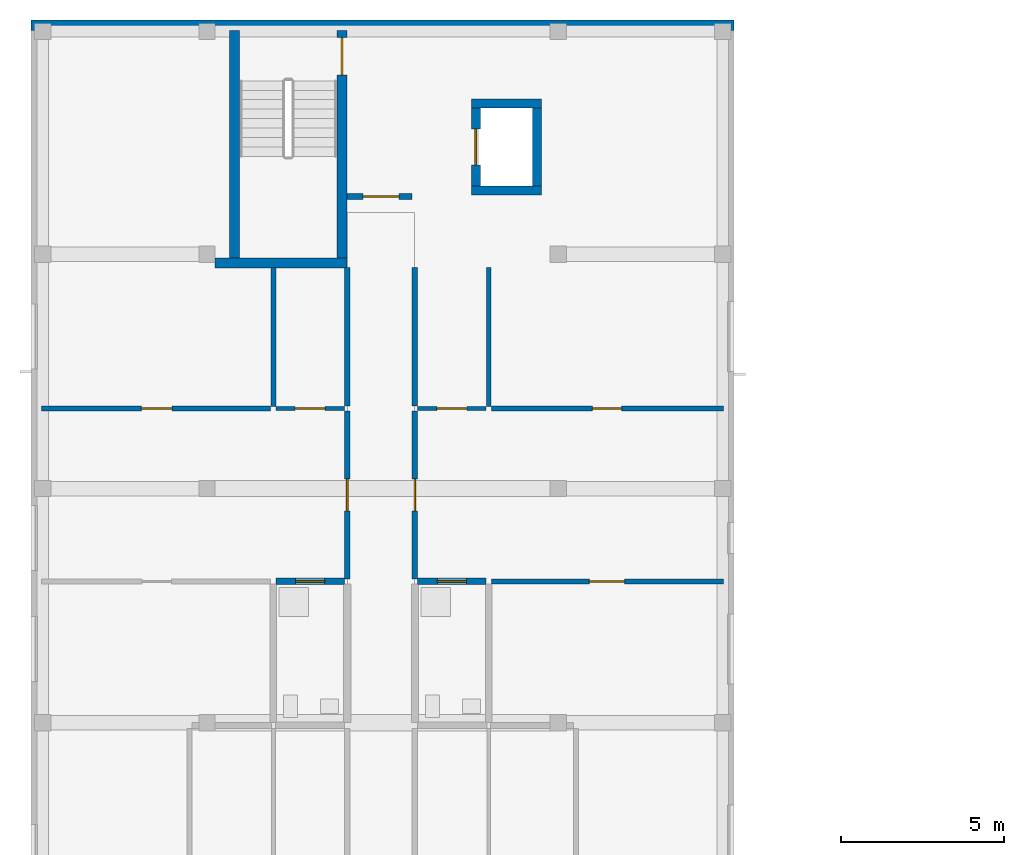
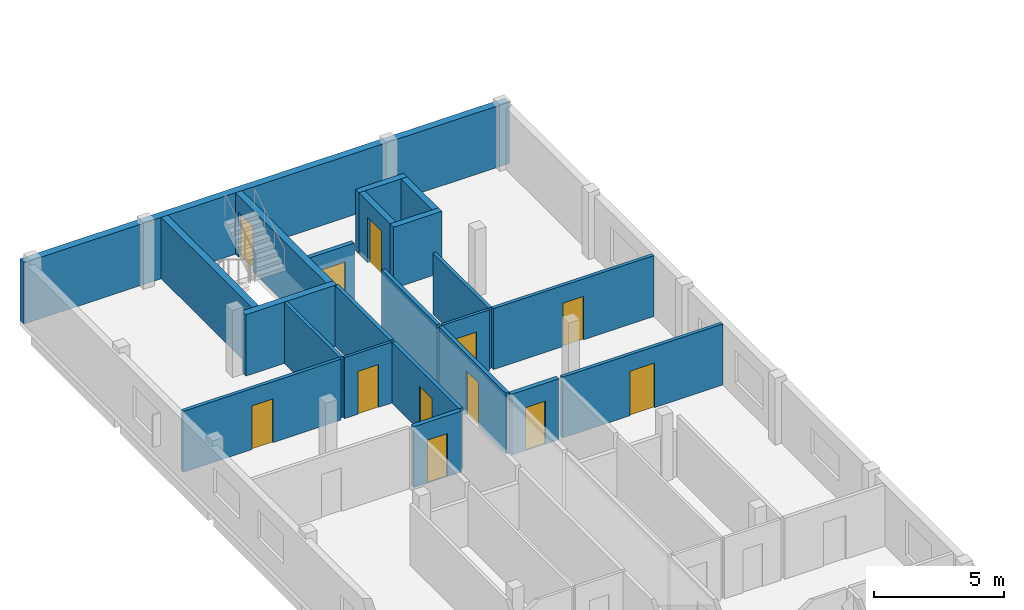
# One storey, part 13 of 28: 22 walls, 12 doors, 12 openings.
"""IFC4 building model written with IfcOpenShell, lengths in metres."""

from ifc_helpers import new_model, si_unit, derived_unit, direction, frame, frame_2d, origin, place, context, subcontext, project, spatial, rectangle, extrude, material, layer, layer_set, type_object, element, fill, save


model = new_model("IFC4")

# Units and contexts
model_context = context("Model", 3, precision=1e-05, world=origin(), true_north=direction((0.0, 1.0)))
body_context = subcontext(model_context, "Body", "Model", "MODEL_VIEW")
ifc_project = project(units=[si_unit("LENGTHUNIT", "METRE"), si_unit("AREAUNIT", "SQUARE_METRE"), si_unit("VOLUMEUNIT", "CUBIC_METRE"), si_unit("PLANEANGLEUNIT", "RADIAN"), si_unit("MASSUNIT", "GRAM", prefix="KILO"), derived_unit("THERMALTRANSMITTANCEUNIT", [(si_unit("MASSUNIT", "GRAM", prefix="KILO"), 1), (si_unit("TIMEUNIT", "SECOND"), -3), (si_unit("THERMODYNAMICTEMPERATUREUNIT", "KELVIN"), -1)])], contexts=[model_context])

# Site, building, storey
site_placement = place(None, origin())
site = spatial("IfcSite", under=ifc_project, at=site_placement, CompositionType="ELEMENT")
building_placement = place(site_placement, origin())
building = spatial("IfcBuilding", under=site, at=building_placement, Name="Ochrekiln Boulevard Commons", CompositionType="ELEMENT")
storey_placement = place(building_placement, frame((0.0, 0.0, 34.125)))
storey = spatial("IfcBuildingStorey", under=building, at=storey_placement, Name="L10", CompositionType="ELEMENT", Elevation=34.125)

# Wall
ifc_material_1 = material(Name="Desert ochre clinker brick masonry ASTM C216 Grade SW", Category="masonry")
ifc_layer_1 = layer(ifc_material_1, 0.320068359375)
ifc_layer_set_1 = layer_set([ifc_layer_1], Name="Desert ochre clinker brick masonry ASTM C216 Grade SW")
wall_type_1 = type_object("IfcWallType", Name="WL-EXT-OCHRE-320", PredefinedType="SOLIDWALL", material=ifc_layer_set_1)
wall_1_placement = place(storey_placement, frame((0.0, 118.639892578125, 0.0), z_axis=(0.0, 0.0, 1.0), x_axis=(1.0, 0.0, 0.0)))
element("IfcWall", 1, at=wall_1_placement, inside=storey, type_object=wall_type_1, Name="Block A L10 N Exterior Wall", PredefinedType="SOLIDWALL", context=body_context, shape_type="SweptSolid", body=[
    extrude(rectangle(XDim=21.60009765625, YDim=0.320068359375, at=frame_2d((10.800048828125, 0.0))), origin(), (0.0, 0.0, 1.0), 2.889892578125),
])

# Wall, opening, door
ifc_material_2 = material(Name="Moisture-resistant cementitious tile backer wall")
ifc_layer_2 = layer(ifc_material_2, 0.199951171875)
ifc_layer_set_2 = layer_set([ifc_layer_2], Name="Moisture-resistant cementitious tile backer wall")
wall_type_2 = type_object("IfcWallType", Name="WL-PLM-200", PredefinedType="PLUMBINGWALL", material=ifc_layer_set_2)
wall_2_placement = place(storey_placement, frame((7.52001953125, 101.547119140625, 0.0), z_axis=(0.0, 0.0, 1.0), x_axis=(1.0, 0.0, 0.0)))
wall_2 = element("IfcWall", 2, at=wall_2_placement, inside=storey, type_object=wall_type_2, Name="L10 Interior Wall W-PW200", PredefinedType="PLUMBINGWALL", context=body_context, shape_type="SweptSolid", body=[
    extrude(rectangle(XDim=2.10791015625, YDim=0.199951171875, at=frame_2d((1.053955078125, 0.0))), origin(), (0.0, 0.0, 1.0), 2.8701171875),
])
opening_1_placement = place(wall_2_placement, frame((0.60498046875, 0.0, 0.0)))
opening_1 = element("IfcOpeningElement", 3, at=opening_1_placement, cuts=wall_2, Name="Opening D-L10-1180", PredefinedType="OPENING", context=body_context, shape_type="SweptSolid", body=[
    extrude(rectangle(XDim=0.889892578125, YDim=2.030029296875, at=frame_2d((0.44482421875, 1.01513671875))), frame((0.0, 0.10986328125, 0.0), z_axis=(0.0, -1.0, 0.0), x_axis=(1.0, 0.0, 0.0)), (0.0, 0.0, 1.0), 0.219970703125),
])
ifc_material_3 = material(Name="Solid core architectural oak door leaf")
door_type_1 = type_object("IfcDoorType", Name="DR-INT-BTH-089", OperationType="NOTDEFINED", PredefinedType="DOOR", material=ifc_material_3)
door_1_placement = place(opening_1_placement, frame((0.889892578125, 0.0, 0.0), z_axis=(0.0, 0.0, 1.0), x_axis=(-1.0, 0.0, 0.0)))
door_1 = element("IfcDoor", 4, at=door_1_placement, inside=storey, type_object=door_type_1, Name="L10 Interior Door to Apartment Bathroom", OperationType="SINGLE_SWING_RIGHT", OverallHeight=2.030029296875, OverallWidth=0.889892578125, PredefinedType="DOOR", context=body_context, shape_type="SweptSolid", body=[
    extrude(rectangle(XDim=0.889892578125, YDim=2.030029296875, at=frame_2d((0.44482421875, 1.01513671875))), frame((0.0, 0.02490234375, 0.0), z_axis=(0.0, -1.0, 0.0), x_axis=(1.0, 0.0, 0.0)), (0.0, 0.0, 1.0), 0.050048828125),
])
fill(opening_1, door_1)

wall_3_placement = place(storey_placement, frame((11.8720703125, 101.547119140625, 0.0), z_axis=(0.0, 0.0, 1.0), x_axis=(1.0, 0.0, 0.0)))
wall_3 = element("IfcWall", 5, at=wall_3_placement, inside=storey, type_object=wall_type_2, Name="L10 Interior Wall W-PW200", PredefinedType="PLUMBINGWALL", context=body_context, shape_type="SweptSolid", body=[
    extrude(rectangle(XDim=2.10791015625, YDim=0.199951171875, at=frame_2d((1.053955078125, 0.0))), origin(), (0.0, 0.0, 1.0), 2.8701171875),
])
opening_2_placement = place(wall_3_placement, frame((0.613037109375, 0.0, 0.0)))
opening_2 = element("IfcOpeningElement", 6, at=opening_2_placement, cuts=wall_3, Name="Opening D-L10-1191", PredefinedType="OPENING", context=body_context, shape_type="SweptSolid", body=[
    extrude(rectangle(XDim=0.889892578125, YDim=2.030029296875, at=frame_2d((0.44482421875, 1.01513671875))), frame((0.0, 0.10986328125, 0.0), z_axis=(0.0, -1.0, 0.0), x_axis=(1.0, 0.0, 0.0)), (0.0, 0.0, 1.0), 0.219970703125),
])
door_2_placement = place(opening_2_placement, frame((0.889892578125, 0.0, 0.0), z_axis=(0.0, 0.0, 1.0), x_axis=(-1.0, 0.0, 0.0)))
door_2 = element("IfcDoor", 7, at=door_2_placement, inside=storey, type_object=door_type_1, Name="L10 Interior Door to Apartment Bathroom", OperationType="SINGLE_SWING_LEFT", OverallHeight=2.030029296875, OverallWidth=0.889892578125, PredefinedType="DOOR", context=body_context, shape_type="SweptSolid", body=[
    extrude(rectangle(XDim=0.889892578125, YDim=2.030029296875, at=frame_2d((0.44482421875, 1.01513671875))), frame((0.0, 0.02490234375, 0.0), z_axis=(0.0, -1.0, 0.0), x_axis=(1.0, 0.0, 0.0)), (0.0, 0.0, 1.0), 0.050048828125),
])
fill(opening_2, door_2)

ifc_material_4 = material(Name="Fire-rated Type X gypsum board on steel studs", Category="steel")
ifc_layer_3 = layer(ifc_material_4, 0.1650390625)
ifc_layer_set_3 = layer_set([ifc_layer_3], Name="Fire-rated Type X gypsum board on steel studs")
wall_type_3 = type_object("IfcWallType", Name="WL-PT-CORR-165", PredefinedType="PARTITIONING", material=ifc_layer_set_3)
wall_4_placement = place(storey_placement, frame((9.7099609375, 101.626953125, 0.0), z_axis=(0.0, 0.0, 1.0), x_axis=(0.0, 1.0, 0.0)))
wall_4 = element("IfcWall", 8, at=wall_4_placement, inside=storey, type_object=wall_type_3, Name="L10 Interior Wall W-PC165", PredefinedType="PARTITIONING", context=body_context, shape_type="SweptSolid", body=[
    extrude(rectangle(XDim=5.156005859375, YDim=0.1650390625, at=frame_2d((2.578125, 0.0))), origin(), (0.0, 0.0, 1.0), 2.8701171875),
])
opening_3_placement = place(wall_4_placement, frame((2.087890625, 0.0, 0.0)))
opening_3 = element("IfcOpeningElement", 9, at=opening_3_placement, cuts=wall_4, Name="Opening D-L10-1170", PredefinedType="OPENING", context=body_context, shape_type="SweptSolid", body=[
    extrude(rectangle(XDim=0.97998046875, YDim=2.080078125, at=frame_2d((0.489990234375, 1.0400390625))), frame((0.0, 0.092529296875, 0.0), z_axis=(0.0, -1.0, 0.0), x_axis=(1.0, 0.0, 0.0)), (0.0, 0.0, 1.0), 0.18505859375),
])
door_type_2 = type_object("IfcDoorType", Name="DR-APT-60", OperationType="NOTDEFINED", PredefinedType="DOOR", material=ifc_material_3)
door_3_placement = place(opening_3_placement, origin())
door_3 = element("IfcDoor", 10, at=door_3_placement, inside=storey, type_object=door_type_2, Name="L10 Interior Door to Two-Bedroom Apartment Living Room", OperationType="SINGLE_SWING_RIGHT", OverallHeight=2.080078125, OverallWidth=0.97998046875, PredefinedType="DOOR", context=body_context, shape_type="SweptSolid", body=[
    extrude(rectangle(XDim=0.97998046875, YDim=2.080078125, at=frame_2d((0.489990234375, 1.0400390625))), frame((0.0, 0.02490234375, 0.0), z_axis=(0.0, -1.0, 0.0), x_axis=(1.0, 0.0, 0.0)), (0.0, 0.0, 1.0), 0.050048828125),
])
fill(opening_3, door_3)

# Wall
wall_5_placement = place(storey_placement, frame((9.7099609375, 106.943115234375, 0.0), z_axis=(0.0, 0.0, 1.0), x_axis=(0.0, 1.0, 0.0)))
element("IfcWall", 11, at=wall_5_placement, inside=storey, type_object=wall_type_3, Name="L10 Interior Wall W-PC165", PredefinedType="PARTITIONING", context=body_context, shape_type="SweptSolid", body=[
    extrude(rectangle(XDim=4.2568359375, YDim=0.1650390625, at=frame_2d((2.12841796875, 0.0))), origin(), (0.0, 0.0, 1.0), 2.8701171875),
])

# Wall, opening, door
wall_6_placement = place(storey_placement, frame((11.7900390625, 101.626953125, 0.0), z_axis=(0.0, 0.0, 1.0), x_axis=(0.0, 1.0, 0.0)))
wall_6 = element("IfcWall", 12, at=wall_6_placement, inside=storey, type_object=wall_type_3, Name="L10 Interior Wall W-PC165", PredefinedType="PARTITIONING", context=body_context, shape_type="SweptSolid", body=[
    extrude(rectangle(XDim=5.156005859375, YDim=0.1650390625, at=frame_2d((2.578125, 0.0))), origin(), (0.0, 0.0, 1.0), 2.8701171875),
])
opening_4_placement = place(wall_6_placement, frame((2.087890625, 0.0, 0.0)))
opening_4 = element("IfcOpeningElement", 13, at=opening_4_placement, cuts=wall_6, Name="Opening D-L10-1172", PredefinedType="OPENING", context=body_context, shape_type="SweptSolid", body=[
    extrude(rectangle(XDim=0.97998046875, YDim=2.080078125, at=frame_2d((0.489990234375, 1.0400390625))), frame((0.0, 0.092529296875, 0.0), z_axis=(0.0, -1.0, 0.0), x_axis=(1.0, 0.0, 0.0)), (0.0, 0.0, 1.0), 0.18505859375),
])
door_4_placement = place(opening_4_placement, frame((0.97998046875, 0.0, 0.0), z_axis=(0.0, 0.0, 1.0), x_axis=(-1.0, 0.0, 0.0)))
door_4 = element("IfcDoor", 14, at=door_4_placement, inside=storey, type_object=door_type_2, Name="L10 Interior Door to Two-Bedroom Apartment Living Room", OperationType="SINGLE_SWING_RIGHT", OverallHeight=2.080078125, OverallWidth=0.97998046875, PredefinedType="DOOR", context=body_context, shape_type="SweptSolid", body=[
    extrude(rectangle(XDim=0.97998046875, YDim=2.080078125, at=frame_2d((0.489990234375, 1.0400390625))), frame((0.0, 0.02490234375, 0.0), z_axis=(0.0, -1.0, 0.0), x_axis=(1.0, 0.0, 0.0)), (0.0, 0.0, 1.0), 0.050048828125),
])
fill(opening_4, door_4)

# Wall
wall_7_placement = place(storey_placement, frame((11.7900390625, 106.943115234375, 0.0), z_axis=(0.0, 0.0, 1.0), x_axis=(0.0, 1.0, 0.0)))
element("IfcWall", 15, at=wall_7_placement, inside=storey, type_object=wall_type_3, Name="L10 Interior Wall W-PC165", PredefinedType="PARTITIONING", context=body_context, shape_type="SweptSolid", body=[
    extrude(rectangle(XDim=4.2568359375, YDim=0.1650390625, at=frame_2d((2.12841796875, 0.0))), origin(), (0.0, 0.0, 1.0), 2.8701171875),
])

# Wall, opening, door
ifc_layer_4 = layer(ifc_material_4, 0.18994140625)
ifc_layer_set_4 = layer_set([ifc_layer_4], Name="Fire-rated Type X gypsum board on steel studs")
wall_type_4 = type_object("IfcWallType", Name="WL-PT-LBY-190", PredefinedType="PARTITIONING", material=ifc_layer_set_4)
wall_8_placement = place(storey_placement, frame((9.699951171875, 113.3798828125, 0.0), z_axis=(0.0, 0.0, 1.0), x_axis=(1.0, 0.0, 0.0)))
wall_8 = element("IfcWall", 16, at=wall_8_placement, inside=storey, type_object=wall_type_4, Name="L10 Interior Wall W-PL190", PredefinedType="PARTITIONING", context=body_context, shape_type="SweptSolid", body=[
    extrude(rectangle(XDim=2.0, YDim=0.18994140625, at=frame_2d((1.0, 0.0))), origin(), (0.0, 0.0, 1.0), 2.8701171875),
])
opening_5_placement = place(wall_8_placement, frame((0.5, 0.0, 0.0)))
opening_5 = element("IfcOpeningElement", 17, at=opening_5_placement, cuts=wall_8, Name="Opening D-L10-1167", PredefinedType="OPENING", context=body_context, shape_type="SweptSolid", body=[
    extrude(rectangle(XDim=1.10009765625, YDim=2.1201171875, at=frame_2d((0.550048828125, 1.06005859375))), frame((0.0, 0.10498046875, 0.0), z_axis=(0.0, -1.0, 0.0), x_axis=(1.0, 0.0, 0.0)), (0.0, 0.0, 1.0), 0.2099609375),
])
ifc_material_5 = material(Name="Hollow metal fire-rated steel door assembly", Category="steel")
door_type_3 = type_object("IfcDoorType", Name="DR-LOBBY-60", OperationType="NOTDEFINED", PredefinedType="DOOR", material=ifc_material_5)
door_5_placement = place(opening_5_placement, origin())
door_5 = element("IfcDoor", 18, at=door_5_placement, inside=storey, type_object=door_type_3, Name="L10 Interior Door to Fire Service Access Elevator Lobby", OperationType="SINGLE_SWING_LEFT", OverallHeight=2.1201171875, OverallWidth=1.10009765625, PredefinedType="DOOR", context=body_context, shape_type="SweptSolid", body=[
    extrude(rectangle(XDim=1.10009765625, YDim=2.1201171875, at=frame_2d((0.550048828125, 1.06005859375))), frame((0.0, 0.02490234375, 0.0), z_axis=(0.0, -1.0, 0.0), x_axis=(1.0, 0.0, 0.0)), (0.0, 0.0, 1.0), 0.050048828125),
])
fill(opening_5, door_5)

ifc_layer_5 = layer(ifc_material_4, 0.1201171875)
ifc_layer_set_5 = layer_set([ifc_layer_5], Name="Fire-rated Type X gypsum board on steel studs")
wall_type_5 = type_object("IfcWallType", Name="WL-PT-LGT-120", PredefinedType="PARTITIONING", material=ifc_layer_set_5)
wall_9_placement = place(storey_placement, frame((7.52001953125, 106.863037109375, 0.0), z_axis=(0.0, 0.0, 1.0), x_axis=(1.0, 0.0, 0.0)))
wall_9 = element("IfcWall", 19, at=wall_9_placement, inside=storey, type_object=wall_type_5, Name="L10 Interior Wall W-PL120", PredefinedType="PARTITIONING", context=body_context, shape_type="SweptSolid", body=[
    extrude(rectangle(XDim=2.10791015625, YDim=0.1201171875, at=frame_2d((1.053955078125, 0.0))), origin(), (0.0, 0.0, 1.0), 2.8701171875),
])
opening_6_placement = place(wall_9_placement, frame((0.590087890625, 0.0, 0.0)))
opening_6 = element("IfcOpeningElement", 20, at=opening_6_placement, cuts=wall_9, Name="Opening D-L10-1181", PredefinedType="OPENING", context=body_context, shape_type="SweptSolid", body=[
    extrude(rectangle(XDim=0.919921875, YDim=2.02001953125, at=frame_2d((0.4599609375, 1.010009765625))), frame((0.0, 0.070068359375, 0.0), z_axis=(0.0, -1.0, 0.0), x_axis=(1.0, 0.0, 0.0)), (0.0, 0.0, 1.0), 0.14013671875),
])
door_type_4 = type_object("IfcDoorType", Name="DR-INT-KIT-092", OperationType="NOTDEFINED", PredefinedType="DOOR", material=ifc_material_3)
door_6_placement = place(opening_6_placement, origin())
door_6 = element("IfcDoor", 21, at=door_6_placement, inside=storey, type_object=door_type_4, Name="L10 Interior Door to Apartment Kitchen", OperationType="SINGLE_SWING_LEFT", OverallHeight=2.02001953125, OverallWidth=0.919921875, PredefinedType="DOOR", context=body_context, shape_type="SweptSolid", body=[
    extrude(rectangle(XDim=0.919921875, YDim=2.02001953125, at=frame_2d((0.4599609375, 1.010009765625))), frame((0.0, 0.02490234375, 0.0), z_axis=(0.0, -1.0, 0.0), x_axis=(1.0, 0.0, 0.0)), (0.0, 0.0, 1.0), 0.050048828125),
])
fill(opening_6, door_6)

wall_10_placement = place(storey_placement, frame((11.8720703125, 106.863037109375, 0.0), z_axis=(0.0, 0.0, 1.0), x_axis=(1.0, 0.0, 0.0)))
wall_10 = element("IfcWall", 22, at=wall_10_placement, inside=storey, type_object=wall_type_5, Name="L10 Interior Wall W-PL120", PredefinedType="PARTITIONING", context=body_context, shape_type="SweptSolid", body=[
    extrude(rectangle(XDim=2.10791015625, YDim=0.1201171875, at=frame_2d((1.053955078125, 0.0))), origin(), (0.0, 0.0, 1.0), 2.8701171875),
])
opening_7_placement = place(wall_10_placement, frame((0.597900390625, 0.0, 0.0)))
opening_7 = element("IfcOpeningElement", 23, at=opening_7_placement, cuts=wall_10, Name="Opening D-L10-1192", PredefinedType="OPENING", context=body_context, shape_type="SweptSolid", body=[
    extrude(rectangle(XDim=0.919921875, YDim=2.02001953125, at=frame_2d((0.4599609375, 1.010009765625))), frame((0.0, 0.070068359375, 0.0), z_axis=(0.0, -1.0, 0.0), x_axis=(1.0, 0.0, 0.0)), (0.0, 0.0, 1.0), 0.14013671875),
])
door_7_placement = place(opening_7_placement, origin())
door_7 = element("IfcDoor", 24, at=door_7_placement, inside=storey, type_object=door_type_4, Name="L10 Interior Door to Apartment Kitchen", OperationType="SINGLE_SWING_RIGHT", OverallHeight=2.02001953125, OverallWidth=0.919921875, PredefinedType="DOOR", context=body_context, shape_type="SweptSolid", body=[
    extrude(rectangle(XDim=0.919921875, YDim=2.02001953125, at=frame_2d((0.4599609375, 1.010009765625))), frame((0.0, 0.02490234375, 0.0), z_axis=(0.0, -1.0, 0.0), x_axis=(1.0, 0.0, 0.0)), (0.0, 0.0, 1.0), 0.050048828125),
])
fill(opening_7, door_7)

ifc_layer_6 = layer(ifc_material_4, 0.14990234375)
ifc_layer_set_6 = layer_set([ifc_layer_6], Name="Fire-rated Type X gypsum board on steel studs")
wall_type_6 = type_object("IfcWallType", Name="WL-PT-STD-150", PredefinedType="PARTITIONING", material=ifc_layer_set_6)
wall_11_placement = place(storey_placement, frame((0.320068359375, 106.863037109375, 0.0), z_axis=(0.0, 0.0, 1.0), x_axis=(1.0, 0.0, 0.0)))
wall_11 = element("IfcWall", 25, at=wall_11_placement, inside=storey, type_object=wall_type_6, Name="L10 Interior Wall W-PS150", PredefinedType="PARTITIONING", context=body_context, shape_type="SweptSolid", body=[
    extrude(rectangle(XDim=7.0400390625, YDim=0.14990234375, at=frame_2d((3.52001953125, 0.0))), origin(), (0.0, 0.0, 1.0), 2.8701171875),
])
opening_8_placement = place(wall_11_placement, frame((3.06494140625, 0.0, 0.0)))
opening_8 = element("IfcOpeningElement", 26, at=opening_8_placement, cuts=wall_11, Name="Opening D-L10-1183", PredefinedType="OPENING", context=body_context, shape_type="SweptSolid", body=[
    extrude(rectangle(XDim=0.93994140625, YDim=2.06005859375, at=frame_2d((0.469970703125, 1.030029296875))), frame((0.0, 0.0849609375, 0.0), z_axis=(0.0, -1.0, 0.0), x_axis=(1.0, 0.0, 0.0)), (0.0, 0.0, 1.0), 0.169921875),
])
door_type_5 = type_object("IfcDoorType", Name="DR-INT-BED-094", OperationType="NOTDEFINED", PredefinedType="DOOR", material=ifc_material_3)
door_8_placement = place(opening_8_placement, origin())
door_8 = element("IfcDoor", 27, at=door_8_placement, inside=storey, type_object=door_type_5, Name="L10 Interior Door to Secondary Apartment Bedroom", OperationType="SINGLE_SWING_LEFT", OverallHeight=2.06005859375, OverallWidth=0.93994140625, PredefinedType="DOOR", context=body_context, shape_type="SweptSolid", body=[
    extrude(rectangle(XDim=0.93994140625, YDim=2.06005859375, at=frame_2d((0.469970703125, 1.030029296875))), frame((0.0, 0.02490234375, 0.0), z_axis=(0.0, -1.0, 0.0), x_axis=(1.0, 0.0, 0.0)), (0.0, 0.0, 1.0), 0.050048828125),
])
fill(opening_8, door_8)

# Wall
wall_12_placement = place(storey_placement, frame((7.43994140625, 106.923095703125, 0.0), z_axis=(0.0, 0.0, 1.0), x_axis=(0.0, 1.0, 0.0)))
element("IfcWall", 28, at=wall_12_placement, inside=storey, type_object=wall_type_6, Name="L10 Interior Wall W-PS150", PredefinedType="PARTITIONING", context=body_context, shape_type="SweptSolid", body=[
    extrude(rectangle(XDim=4.27685546875, YDim=0.14990234375, at=frame_2d((2.138427734375, 0.0))), origin(), (0.0, 0.0, 1.0), 2.8701171875),
])

# Wall, opening, door
wall_13_placement = place(storey_placement, frame((14.139892578125, 101.547119140625, 0.0), z_axis=(0.0, 0.0, 1.0), x_axis=(1.0, 0.0, 0.0)))
wall_13 = element("IfcWall", 29, at=wall_13_placement, inside=storey, type_object=wall_type_6, Name="L10 Interior Wall W-PS150", PredefinedType="PARTITIONING", context=body_context, shape_type="SweptSolid", body=[
    extrude(rectangle(XDim=7.14013671875, YDim=0.14990234375, at=frame_2d((3.570068359375, 0.0))), origin(), (0.0, 0.0, 1.0), 2.8701171875),
])
opening_9_placement = place(wall_13_placement, frame((3.014892578125, 0.0, 0.0)))
opening_9 = element("IfcOpeningElement", 30, at=opening_9_placement, cuts=wall_13, Name="Opening D-L10-1193", PredefinedType="OPENING", context=body_context, shape_type="SweptSolid", body=[
    extrude(rectangle(XDim=1.080078125, YDim=2.10009765625, at=frame_2d((0.5400390625, 1.050048828125))), frame((0.0, 0.0849609375, 0.0), z_axis=(0.0, -1.0, 0.0), x_axis=(1.0, 0.0, 0.0)), (0.0, 0.0, 1.0), 0.169921875),
])
door_type_6 = type_object("IfcDoorType", Name="DR-INT-BED-108", OperationType="NOTDEFINED", PredefinedType="DOOR", material=ifc_material_3)
door_9_placement = place(opening_9_placement, frame((1.080078125, 0.0, 0.0), z_axis=(0.0, 0.0, 1.0), x_axis=(-1.0, 0.0, 0.0)))
door_9 = element("IfcDoor", 31, at=door_9_placement, inside=storey, type_object=door_type_6, Name="L10 Interior Door to Primary Apartment Bedroom", OperationType="SINGLE_SWING_LEFT", OverallHeight=2.10009765625, OverallWidth=1.080078125, PredefinedType="DOOR", context=body_context, shape_type="SweptSolid", body=[
    extrude(rectangle(XDim=1.080078125, YDim=2.10009765625, at=frame_2d((0.5400390625, 1.050048828125))), frame((0.0, 0.02490234375, 0.0), z_axis=(0.0, -1.0, 0.0), x_axis=(1.0, 0.0, 0.0)), (0.0, 0.0, 1.0), 0.050048828125),
])
fill(opening_9, door_9)

wall_14_placement = place(storey_placement, frame((14.139892578125, 106.863037109375, 0.0), z_axis=(0.0, 0.0, 1.0), x_axis=(1.0, 0.0, 0.0)))
wall_14 = element("IfcWall", 32, at=wall_14_placement, inside=storey, type_object=wall_type_6, Name="L10 Interior Wall W-PS150", PredefinedType="PARTITIONING", context=body_context, shape_type="SweptSolid", body=[
    extrude(rectangle(XDim=7.14013671875, YDim=0.14990234375, at=frame_2d((3.570068359375, 0.0))), origin(), (0.0, 0.0, 1.0), 2.8701171875),
])
opening_10_placement = place(wall_14_placement, frame((3.10498046875, 0.0, 0.0)))
opening_10 = element("IfcOpeningElement", 33, at=opening_10_placement, cuts=wall_14, Name="Opening D-L10-1194", PredefinedType="OPENING", context=body_context, shape_type="SweptSolid", body=[
    extrude(rectangle(XDim=0.89990234375, YDim=2.0400390625, at=frame_2d((0.449951171875, 1.02001953125))), frame((0.0, 0.0849609375, 0.0), z_axis=(0.0, -1.0, 0.0), x_axis=(1.0, 0.0, 0.0)), (0.0, 0.0, 1.0), 0.169921875),
])
door_type_7 = type_object("IfcDoorType", Name="DR-INT-BED-090", OperationType="NOTDEFINED", PredefinedType="DOOR", material=ifc_material_3)
door_10_placement = place(opening_10_placement, origin())
door_10 = element("IfcDoor", 34, at=door_10_placement, inside=storey, type_object=door_type_7, Name="L10 Interior Door to Secondary Apartment Bedroom", OperationType="SINGLE_SWING_RIGHT", OverallHeight=2.0400390625, OverallWidth=0.89990234375, PredefinedType="DOOR", context=body_context, shape_type="SweptSolid", body=[
    extrude(rectangle(XDim=0.89990234375, YDim=2.0400390625, at=frame_2d((0.449951171875, 1.02001953125))), frame((0.0, 0.02490234375, 0.0), z_axis=(0.0, -1.0, 0.0), x_axis=(1.0, 0.0, 0.0)), (0.0, 0.0, 1.0), 0.050048828125),
])
fill(opening_10, door_10)

# Walls
wall_15_placement = place(storey_placement, frame((14.06005859375, 106.923095703125, 0.0), z_axis=(0.0, 0.0, 1.0), x_axis=(0.0, 1.0, 0.0)))
element("IfcWall", 35, at=wall_15_placement, inside=storey, type_object=wall_type_6, Name="L10 Interior Wall W-PS150", PredefinedType="PARTITIONING", context=body_context, shape_type="SweptSolid", body=[
    extrude(rectangle(XDim=4.27685546875, YDim=0.14990234375, at=frame_2d((2.138427734375, 0.0))), origin(), (0.0, 0.0, 1.0), 2.8701171875),
])
ifc_material_6 = material(Name="Concrete C40/50", Category="concrete")
ifc_layer_7 = layer(ifc_material_6, 0.27490234375)
ifc_layer_set_7 = layer_set([ifc_layer_7], Name="Concrete C40/50")
wall_type_7 = type_object("IfcWallType", Name="WL-SH-275", PredefinedType="SHEAR", material=ifc_layer_set_7)
for number, where, z_axis, x_axis, name in (
    (36, (13.52490234375, 113.5625, 0.0), (0.0, 0.0, 1.0), (1.0, 0.0, 0.0), "Elevator FF-A2 L10 Hoistway Shear Wall"),
    (37, (13.52490234375, 116.237548828125, 0.0), (0.0, 0.0, 1.0), (1.0, 0.0, 0.0), "Elevator FF-A2 L10 Hoistway Shear Wall"),
):
    element("IfcWall", number, at=place(storey_placement, frame(where, z_axis=z_axis, x_axis=x_axis)), inside=storey, type_object=wall_type_7, Name=name, PredefinedType="SHEAR", context=body_context, shape_type="SweptSolid", body=[
        extrude(rectangle(XDim=2.150146484375, YDim=0.27490234375, at=frame_2d((1.0751953125, 0.0))), origin(), (0.0, 0.0, 1.0), 2.889892578125),
    ])

# Wall, opening, door
wall_16_placement = place(storey_placement, frame((13.66259765625, 113.699951171875, 0.0), z_axis=(0.0, 0.0, 1.0), x_axis=(0.0, 1.0, 0.0)))
wall_16 = element("IfcWall", 38, at=wall_16_placement, inside=storey, type_object=wall_type_7, Name="Elevator FF-A2 L10 Hoistway Shear Wall", PredefinedType="SHEAR", context=body_context, shape_type="SweptSolid", body=[
    extrude(rectangle(XDim=2.400146484375, YDim=0.27490234375, at=frame_2d((1.2001953125, 0.0))), origin(), (0.0, 0.0, 1.0), 2.889892578125),
])
opening_11_placement = place(wall_16_placement, frame((0.64990234375, 0.0, 0.0)))
opening_11 = element("IfcOpeningElement", 39, at=opening_11_placement, cuts=wall_16, Name="Opening LD-FF-A2-L10", PredefinedType="OPENING", context=body_context, shape_type="SweptSolid", body=[
    extrude(rectangle(XDim=1.10009765625, YDim=2.14990234375, at=frame_2d((0.550048828125, 1.074951171875))), frame((0.0, 0.1474609375, 0.0), z_axis=(0.0, -1.0, 0.0), x_axis=(1.0, 0.0, 0.0)), (0.0, 0.0, 1.0), 0.294921875),
])
ifc_material_7 = material(Name="Brushed stainless steel 316 elevator cab and doors", Category="steel")
door_type_8 = type_object("IfcDoorType", Name="DR-LIFT-LD90", OperationType="SLIDING_TO_LEFT", PredefinedType="DOOR", material=ifc_material_7)
door_11_placement = place(opening_11_placement, origin())
door_11 = element("IfcDoor", 40, at=door_11_placement, inside=storey, type_object=door_type_8, Name="Elevator FF-A2 L10 Sliding Landing Door LD-FF-A2-L10", OperationType="SLIDING_TO_LEFT", OverallHeight=2.14990234375, OverallWidth=1.10009765625, PredefinedType="DOOR", context=body_context, shape_type="SweptSolid", body=[
    extrude(rectangle(XDim=1.10009765625, YDim=2.14990234375, at=frame_2d((0.550048828125, 1.074951171875))), frame((0.0, 0.02490234375, 0.0), z_axis=(0.0, -1.0, 0.0), x_axis=(1.0, 0.0, 0.0)), (0.0, 0.0, 1.0), 0.050048828125),
])
fill(opening_11, door_11)

# Walls
wall_17_placement = place(storey_placement, frame((15.53759765625, 113.699951171875, 0.0), z_axis=(0.0, 0.0, 1.0), x_axis=(0.0, 1.0, 0.0)))
element("IfcWall", 41, at=wall_17_placement, inside=storey, type_object=wall_type_7, Name="Elevator FF-A2 L10 Hoistway Shear Wall", PredefinedType="SHEAR", context=body_context, shape_type="SweptSolid", body=[
    extrude(rectangle(XDim=2.400146484375, YDim=0.27490234375, at=frame_2d((1.2001953125, 0.0))), origin(), (0.0, 0.0, 1.0), 2.889892578125),
])
ifc_layer_8 = layer(ifc_material_6, 0.300048828125)
ifc_layer_set_8 = layer_set([ifc_layer_8], Name="Concrete C40/50")
wall_type_8 = type_object("IfcWallType", Name="WL-SH-300", PredefinedType="SHEAR", material=ifc_layer_set_8)
wall_18_placement = place(storey_placement, frame((5.64990234375, 111.330078125, 0.0), z_axis=(0.0, 0.0, 1.0), x_axis=(1.0, 0.0, 0.0)))
element("IfcWall", 42, at=wall_18_placement, inside=storey, type_object=wall_type_8, Name="Stair ST-A2 L10 Core Shear Wall S", PredefinedType="SHEAR", context=body_context, shape_type="SweptSolid", body=[
    extrude(rectangle(XDim=4.050048828125, YDim=0.300048828125, at=frame_2d((2.02490234375, 0.0))), origin(), (0.0, 0.0, 1.0), 2.889892578125),
])
wall_19_placement = place(storey_placement, frame((6.25, 111.47998046875, 0.0), z_axis=(0.0, 0.0, 1.0), x_axis=(0.0, 1.0, 0.0)))
element("IfcWall", 43, at=wall_19_placement, inside=storey, type_object=wall_type_8, Name="Stair ST-A2 L10 Core Shear Wall W", PredefinedType="SHEAR", context=body_context, shape_type="SweptSolid", body=[
    extrude(rectangle(XDim=7.0, YDim=0.300048828125, at=frame_2d((3.5, 0.0))), origin(), (0.0, 0.0, 1.0), 2.889892578125),
])

# Wall, opening, door
wall_20_placement = place(storey_placement, frame((9.550048828125, 111.47998046875, 0.0), z_axis=(0.0, 0.0, 1.0), x_axis=(0.0, 1.0, 0.0)))
wall_20 = element("IfcWall", 44, at=wall_20_placement, inside=storey, type_object=wall_type_8, Name="Stair ST-A2 L10 Core Shear Wall E", PredefinedType="SHEAR", context=body_context, shape_type="SweptSolid", body=[
    extrude(rectangle(XDim=7.0, YDim=0.300048828125, at=frame_2d((3.5, 0.0))), origin(), (0.0, 0.0, 1.0), 2.889892578125),
])
opening_12_placement = place(wall_20_placement, frame((5.625, 0.0, 0.0)))
opening_12 = element("IfcOpeningElement", 45, at=opening_12_placement, cuts=wall_20, Name="Opening D-L10-ST-A2", PredefinedType="OPENING", context=body_context, shape_type="SweptSolid", body=[
    extrude(rectangle(XDim=1.14990234375, YDim=2.1201171875, at=frame_2d((0.574951171875, 1.06005859375))), frame((0.0, 0.159912109375, 0.0), z_axis=(0.0, -1.0, 0.0), x_axis=(1.0, 0.0, 0.0)), (0.0, 0.0, 1.0), 0.320068359375),
])
door_type_9 = type_object("IfcDoorType", Name="DR-STAIR-90", OperationType="NOTDEFINED", PredefinedType="DOOR", material=ifc_material_5)
door_12_placement = place(opening_12_placement, origin())
door_12 = element("IfcDoor", 46, at=door_12_placement, inside=storey, type_object=door_type_9, Name="Enclosed Exit Stair ST-A2 L10 Rated Door", OperationType="SINGLE_SWING_RIGHT", OverallHeight=2.1201171875, OverallWidth=1.14990234375, PredefinedType="DOOR", context=body_context, shape_type="SweptSolid", body=[
    extrude(rectangle(XDim=1.14990234375, YDim=2.1201171875, at=frame_2d((0.574951171875, 1.06005859375))), frame((0.0, 0.02490234375, 0.0), z_axis=(0.0, -1.0, 0.0), x_axis=(1.0, 0.0, 0.0)), (0.0, 0.0, 1.0), 0.050048828125),
])
fill(opening_12, door_12)

save(model, "model.ifc")
